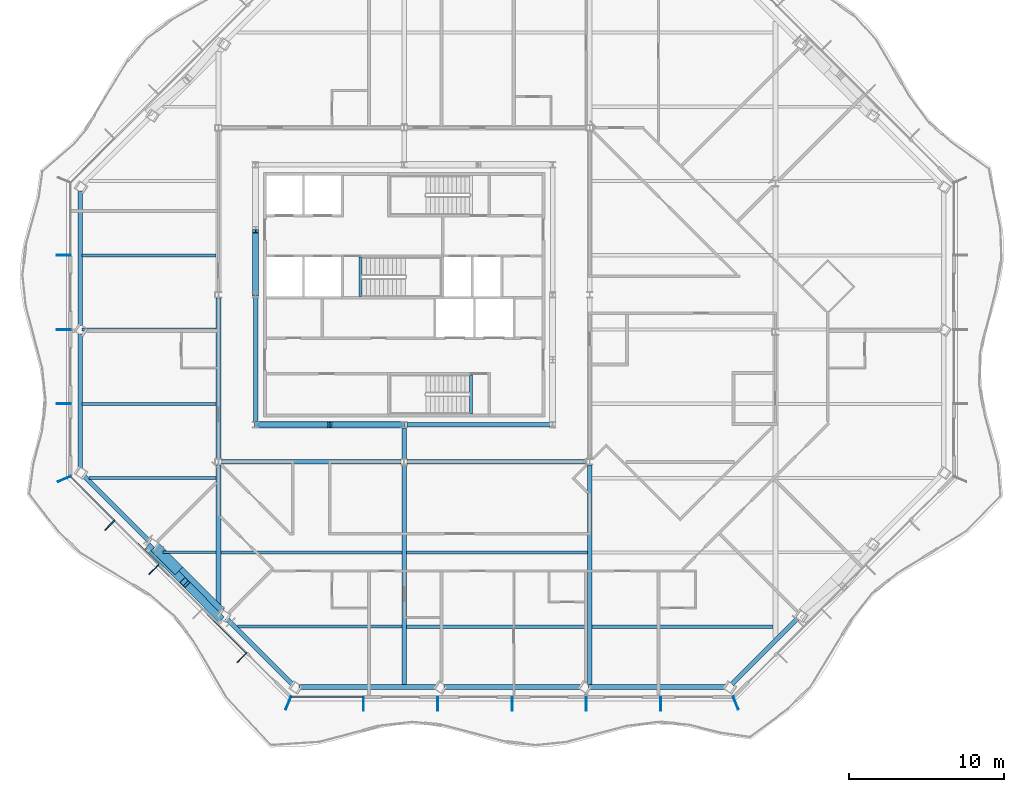
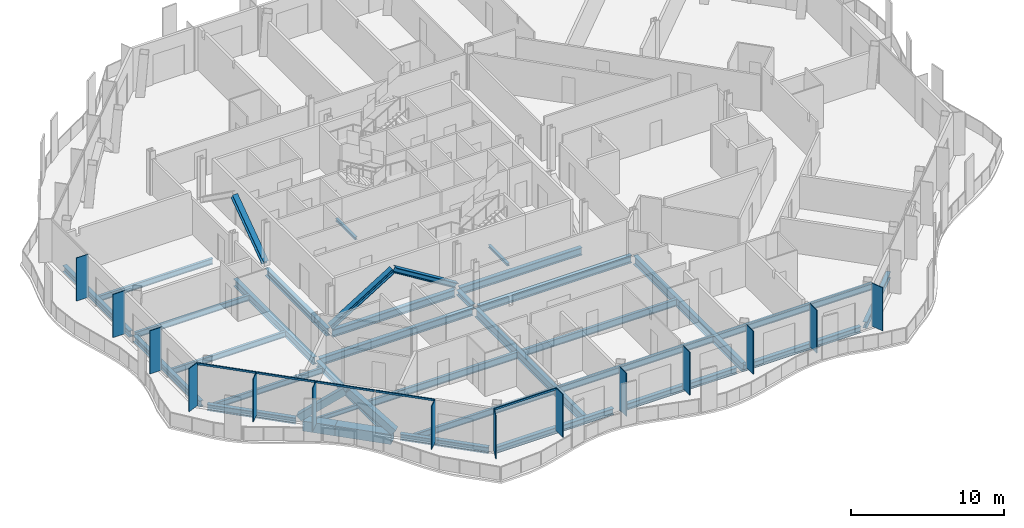
# One storey, part 3 of 19: 32 beams, 24 members, 4 elements without a shape of their own.
"""IFC4 building model written with IfcOpenShell, lengths in metres."""

from ifc_helpers import new_model, si_unit, direction, frame, origin, origin_2d, place, context, subcontext, project, spatial, rectangle, hollow_rectangle, i_section, extrude, material, material_profile, profile_set, type_object, element, aggregate, save


model = new_model("IFC4")

# Units and contexts
model_context = context("Model", 3, precision=1e-05, world=origin(), true_north=direction((0.0, 1.0)))
body_context = subcontext(model_context, "Body", "Model", "MODEL_VIEW")
ifc_project = project(units=[si_unit("LENGTHUNIT", "METRE"), si_unit("AREAUNIT", "SQUARE_METRE"), si_unit("VOLUMEUNIT", "CUBIC_METRE"), si_unit("PLANEANGLEUNIT", "RADIAN"), si_unit("MASSUNIT", "GRAM", prefix="KILO")], contexts=[model_context])

# Site, building, storey
site_placement = place(None, origin())
site = spatial("IfcSite", under=ifc_project, at=site_placement, CompositionType="ELEMENT")
building_placement = place(site_placement, origin())
building = spatial("IfcBuilding", under=site, at=building_placement, Name="Cairn Pilgrim Tower", CompositionType="ELEMENT")
storey_placement = place(building_placement, frame((0.0, 0.0, 197.39990234375)))
storey = spatial("IfcBuildingStorey", under=building, at=storey_placement, Name="L50", CompositionType="ELEMENT", Elevation=197.39990234375)

# Members
ifc_material_1 = material(Name="Structural steel S460M", Category="steel")
ifc_material_profile_1 = material_profile(ifc_material_1, hollow_rectangle(XDim=0.5, YDim=0.5, WallThickness=0.030029296875, at=origin_2d()), Name="BOX 500x500x30")
ifc_profile_set_1 = profile_set([ifc_material_profile_1], Name="Structural steel S460M")
member_type_1 = type_object("IfcMemberType", Name="BOX 500x500x30 BRACE", PredefinedType="BRACE", material=ifc_profile_set_1)
member_1_placement = place(storey_placement, frame((-9.266357421875, -13.947998046875, 0.14990234375), z_axis=(0.542254968737, -0.530793052859, 0.651320415707), x_axis=(0.699513813744, 0.714619076418, 0.0)))
element("IfcMember", 1, at=member_1_placement, inside=storey, type_object=member_type_1, Name="XB-SW2-SW3-1", PredefinedType="BRACE", context=body_context, shape_type="SweptSolid", body=[
    extrude(hollow_rectangle(XDim=0.5, YDim=0.5, WallThickness=0.030029296875, at=origin_2d()), origin(), (0.0, 0.0, 1.0), 4.13232421875),
])
member_2_placement = place(storey_placement, frame((-4.714599609375, -18.489990234375, 0.149169921875), z_axis=(-0.532274318295, 0.541363944045, 0.650852617857), x_axis=(-0.7130677271, -0.701095155145, 0.0)))
element("IfcMember", 2, at=member_2_placement, inside=storey, type_object=member_type_1, Name="XB-SW2-SW3-2", PredefinedType="BRACE", context=body_context, shape_type="SweptSolid", body=[
    extrude(hollow_rectangle(XDim=0.5, YDim=0.5, WallThickness=0.030029296875, at=origin_2d()), origin(), (0.0, 0.0, 1.0), 4.13623046875),
])

# Beams
ifc_material_2 = material(Name="Structural steel S355J2", Category="steel")
ifc_material_profile_2 = material_profile(ifc_material_2, hollow_rectangle(XDim=0.699951171875, YDim=0.800048828125, WallThickness=0.0400390625, at=origin_2d()), Name="BOX 700x800x40")
ifc_profile_set_2 = profile_set([ifc_material_profile_2], Name="Structural steel S355J2")
beam_type_1 = type_object("IfcBeamType", Name="BOX 700x800x40 RING GIRDER", PredefinedType="SPANDREL", material=ifc_profile_set_2)
beam_1_placement = place(storey_placement, frame((-8.909912109375, -13.892333984375, -0.5498046875), z_axis=(0.707106781187, -0.707106781187, 0.0), x_axis=(0.707106781187, 0.707106781187, 0.0)))
element("IfcBeam", 3, at=beam_1_placement, inside=storey, type_object=beam_type_1, Name="RG2-SW2-SW3-1", PredefinedType="SPANDREL", context=body_context, shape_type="SweptSolid", body=[
    extrude(hollow_rectangle(XDim=0.699951171875, YDim=0.800048828125, WallThickness=0.0400390625, at=origin_2d()), origin(), (0.0, 0.0, 1.0), 2.20458984375),
])
beam_2_placement = place(storey_placement, frame((-7.35107421875, -15.451171875, -0.5498046875), z_axis=(0.707106781187, -0.707106781187, 0.0), x_axis=(0.707106781187, 0.707106781187, 0.0)))
element("IfcBeam", 4, at=beam_2_placement, inside=storey, type_object=beam_type_1, Name="RG2-SW2-SW3-2", PredefinedType="SPANDREL", context=body_context, shape_type="SweptSolid", body=[
    extrude(hollow_rectangle(XDim=0.699951171875, YDim=0.800048828125, WallThickness=0.0400390625, at=origin_2d()), origin(), (0.0, 0.0, 1.0), 3.795166015625),
])

# Curtain wall, members
ifc_material_3 = material(Name="Aluminium alloy 6063-T6 bronze anodised with Bronze tinted laminated low-E glass 8+16+8.8", Category="aluminium")
curtain_wall_type_1 = type_object("IfcCurtainWallType", Name="TOWER STICK CURTAIN WALL NS", PredefinedType="NOTDEFINED", material=ifc_material_3)
curtain_wall_1_placement = place(storey_placement, origin())
curtain_wall_1 = element("IfcCurtainWall", 5, at=curtain_wall_1_placement, inside=storey, type_object=curtain_wall_type_1, Name="Tower Stick Curtain Wall Ns S", PredefinedType="NOTDEFINED")
ifc_material_4 = material(Name="Aluminium alloy 6063-T6 bronze anodised", Category="aluminium")
ifc_material_profile_3 = material_profile(ifc_material_4, rectangle(XDim=0.89990234375, YDim=0.06005859375, at=origin_2d()), Name="FIN MULLION 60x900 BRONZE")
ifc_profile_set_3 = profile_set([ifc_material_profile_3], Name="Aluminium alloy 6063-T6 bronze anodised")
member_type_2 = type_object("IfcMemberType", Name="FIN MULLION 60x900 BRONZE", PredefinedType="MULLION", material=ifc_profile_set_3)
member_3_placement = place(storey_placement, frame((-0.2822265625, -23.988037109375, 0.0), z_axis=(0.0, 0.0, 1.0), x_axis=(-0.382683432365, -0.923879532511, 0.0)))
member_3 = element("IfcMember", 6, at=member_3_placement, type_object=member_type_2, Name="Fin mullion S1", PredefinedType="MULLION", context=body_context, shape_type="SweptSolid", body=[
    extrude(rectangle(XDim=0.89990234375, YDim=0.06005859375, at=origin_2d()), origin(), (0.0, 0.0, 1.0), 3.4501953125),
])
member_4_placement = place(storey_placement, frame((4.574951171875, -24.02001953125, 0.0), z_axis=(0.0, 0.0, 1.0), x_axis=(0.0, -1.0, 0.0)))
member_4 = element("IfcMember", 7, at=member_4_placement, type_object=member_type_2, Name="Fin mullion S2", PredefinedType="MULLION", context=body_context, shape_type="SweptSolid", body=[
    extrude(rectangle(XDim=0.89990234375, YDim=0.06005859375, at=origin_2d()), origin(), (0.0, 0.0, 1.0), 3.4501953125),
])
member_5_placement = place(storey_placement, frame((9.375, -24.02001953125, 0.0), z_axis=(0.0, 0.0, 1.0), x_axis=(0.0, -1.0, 0.0)))
member_5 = element("IfcMember", 8, at=member_5_placement, type_object=member_type_2, Name="Fin mullion S3", PredefinedType="MULLION", context=body_context, shape_type="SweptSolid", body=[
    extrude(rectangle(XDim=0.89990234375, YDim=0.06005859375, at=origin_2d()), origin(), (0.0, 0.0, 1.0), 3.4501953125),
])
member_6_placement = place(storey_placement, frame((14.175048828125, -24.02001953125, 0.0), z_axis=(0.0, 0.0, 1.0), x_axis=(0.0, -1.0, 0.0)))
member_6 = element("IfcMember", 9, at=member_6_placement, type_object=member_type_2, Name="Fin mullion S4", PredefinedType="MULLION", context=body_context, shape_type="SweptSolid", body=[
    extrude(rectangle(XDim=0.89990234375, YDim=0.06005859375, at=origin_2d()), origin(), (0.0, 0.0, 1.0), 3.4501953125),
])
member_7_placement = place(storey_placement, frame((18.97509765625, -24.02001953125, 0.0), z_axis=(0.0, 0.0, 1.0), x_axis=(0.0, -1.0, 0.0)))
member_7 = element("IfcMember", 10, at=member_7_placement, type_object=member_type_2, Name="Fin mullion S5", PredefinedType="MULLION", context=body_context, shape_type="SweptSolid", body=[
    extrude(rectangle(XDim=0.89990234375, YDim=0.06005859375, at=origin_2d()), origin(), (0.0, 0.0, 1.0), 3.4501953125),
])
member_8_placement = place(storey_placement, frame((23.77490234375, -24.02001953125, 0.0), z_axis=(0.0, 0.0, 1.0), x_axis=(0.0, -1.0, 0.0)))
member_8 = element("IfcMember", 11, at=member_8_placement, type_object=member_type_2, Name="Fin mullion S6", PredefinedType="MULLION", context=body_context, shape_type="SweptSolid", body=[
    extrude(rectangle(XDim=0.89990234375, YDim=0.06005859375, at=origin_2d()), origin(), (0.0, 0.0, 1.0), 3.4501953125),
])

# Curtain wall, member
curtain_wall_type_2 = type_object("IfcCurtainWallType", Name="CHAMFER CORNER CURTAIN WALL", PredefinedType="NOTDEFINED", material=ifc_material_3)
curtain_wall_2_placement = place(storey_placement, origin())
curtain_wall_2 = element("IfcCurtainWall", 12, at=curtain_wall_2_placement, inside=storey, type_object=curtain_wall_type_2, Name="Chamfer Corner Curtain Wall SE", PredefinedType="NOTDEFINED")
member_9_placement = place(storey_placement, frame((28.632080078125, -23.988037109375, 0.0), z_axis=(0.0, 0.0, 1.0), x_axis=(0.382683432365, -0.923879532511, 0.0)))
member_9 = element("IfcMember", 13, at=member_9_placement, type_object=member_type_2, Name="Fin mullion SE1", PredefinedType="MULLION", context=body_context, shape_type="SweptSolid", body=[
    extrude(rectangle(XDim=0.89990234375, YDim=0.06005859375, at=origin_2d()), origin(), (0.0, 0.0, 1.0), 3.4501953125),
])
aggregate(curtain_wall_2, [member_9])

# Curtain wall, members
curtain_wall_type_3 = type_object("IfcCurtainWallType", Name="TOWER STICK CURTAIN WALL EW", PredefinedType="NOTDEFINED", material=ifc_material_3)
curtain_wall_3_placement = place(storey_placement, origin())
curtain_wall_3 = element("IfcCurtainWall", 14, at=curtain_wall_3_placement, inside=storey, type_object=curtain_wall_type_3, Name="Tower Stick Curtain Wall Ew W", PredefinedType="NOTDEFINED")
member_10_placement = place(storey_placement, frame((-14.794921875, 4.949951171875, 0.0), z_axis=(0.0, 0.0, 1.0), x_axis=(-1.0, 0.0, 0.0)))
member_10 = element("IfcMember", 15, at=member_10_placement, type_object=member_type_2, Name="Fin mullion W2", PredefinedType="MULLION", context=body_context, shape_type="SweptSolid", body=[
    extrude(rectangle(XDim=0.89990234375, YDim=0.06005859375, at=origin_2d()), origin(), (0.0, 0.0, 1.0), 3.4501953125),
])
member_11_placement = place(storey_placement, frame((-14.794921875, 0.14990234375, 0.0), z_axis=(0.0, 0.0, 1.0), x_axis=(-1.0, 0.0, 0.0)))
member_11 = element("IfcMember", 16, at=member_11_placement, type_object=member_type_2, Name="Fin mullion W3", PredefinedType="MULLION", context=body_context, shape_type="SweptSolid", body=[
    extrude(rectangle(XDim=0.89990234375, YDim=0.06005859375, at=origin_2d()), origin(), (0.0, 0.0, 1.0), 3.4501953125),
])
member_12_placement = place(storey_placement, frame((-14.794921875, -4.64990234375, 0.0), z_axis=(0.0, 0.0, 1.0), x_axis=(-1.0, 0.0, 0.0)))
member_12 = element("IfcMember", 17, at=member_12_placement, type_object=member_type_2, Name="Fin mullion W4", PredefinedType="MULLION", context=body_context, shape_type="SweptSolid", body=[
    extrude(rectangle(XDim=0.89990234375, YDim=0.06005859375, at=origin_2d()), origin(), (0.0, 0.0, 1.0), 3.4501953125),
])
aggregate(curtain_wall_3, [member_10, member_11, member_12])

curtain_wall_4_placement = place(storey_placement, origin())
curtain_wall_4 = element("IfcCurtainWall", 18, at=curtain_wall_4_placement, inside=storey, type_object=curtain_wall_type_2, Name="Chamfer Corner Curtain Wall SW", PredefinedType="NOTDEFINED")
member_13_placement = place(storey_placement, frame((-14.762939453125, -9.507080078125, 0.0), z_axis=(0.0, 0.0, 1.0), x_axis=(-0.923879532511, -0.382683432365, 0.0)))
member_13 = element("IfcMember", 19, at=member_13_placement, type_object=member_type_2, Name="Fin mullion SW1", PredefinedType="MULLION", context=body_context, shape_type="SweptSolid", body=[
    extrude(rectangle(XDim=0.89990234375, YDim=0.06005859375, at=origin_2d()), origin(), (0.0, 0.0, 1.0), 3.4501953125),
])
member_14_placement = place(storey_placement, frame((-11.8212890625, -12.494140625, 0.0), z_axis=(0.0, 0.0, 1.0), x_axis=(-0.707106781187, -0.707106781187, 0.0)))
member_14 = element("IfcMember", 20, at=member_14_placement, type_object=member_type_2, Name="Fin mullion SW2", PredefinedType="MULLION", context=body_context, shape_type="SweptSolid", body=[
    extrude(rectangle(XDim=0.89990234375, YDim=0.06005859375, at=origin_2d()), origin(), (0.0, 0.0, 1.0), 3.4501953125),
])
member_15_placement = place(storey_placement, frame((-8.970458984375, -15.344970703125, 0.0), z_axis=(0.0, 0.0, 1.0), x_axis=(-0.707106781187, -0.707106781187, 0.0)))
member_15 = element("IfcMember", 21, at=member_15_placement, type_object=member_type_2, Name="Fin mullion SW3", PredefinedType="MULLION", context=body_context, shape_type="SweptSolid", body=[
    extrude(rectangle(XDim=0.89990234375, YDim=0.06005859375, at=origin_2d()), origin(), (0.0, 0.0, 1.0), 3.4501953125),
])
member_16_placement = place(storey_placement, frame((-3.26904296875, -21.04638671875, 0.0), z_axis=(0.0, 0.0, 1.0), x_axis=(-0.707106781187, -0.707106781187, 0.0)))
member_16 = element("IfcMember", 22, at=member_16_placement, type_object=member_type_2, Name="Fin mullion SW5", PredefinedType="MULLION", context=body_context, shape_type="SweptSolid", body=[
    extrude(rectangle(XDim=0.89990234375, YDim=0.06005859375, at=origin_2d()), origin(), (0.0, 0.0, 1.0), 3.4501953125),
])

# Members
ifc_material_profile_4 = material_profile(ifc_material_2, i_section(OverallWidth=0.39794921875, OverallDepth=0.386962890625, WebThickness=0.02099609375, FlangeThickness=0.033203125, FilletRadius=0.014892578125, at=origin_2d()), Name="HD 400x262")
ifc_profile_set_4 = profile_set([ifc_material_profile_4], Name="Structural steel S355J2")
member_type_3 = type_object("IfcMemberType", Name="HD 400x262 BRACE", PredefinedType="BRACE", material=ifc_profile_set_4)
member_17_placement = place(storey_placement, frame((-2.359619140625, -6.0, 0.10009765625), z_axis=(0.851180404412, 0.0, 0.524873241025), x_axis=(0.0, 1.0, 0.0)))
element("IfcMember", 23, at=member_17_placement, inside=storey, type_object=member_type_3, Name="KB-1A", PredefinedType="BRACE", context=body_context, shape_type="SweptSolid", body=[
    extrude(i_section(OverallWidth=0.39794921875, OverallDepth=0.386962890625, WebThickness=0.02099609375, FlangeThickness=0.033203125, FilletRadius=0.014892578125, at=origin_2d()), origin(), (0.0, 0.0, 1.0), 5.529052734375),
])
member_18_placement = place(storey_placement, frame((7.15966796875, -6.0, 0.10009765625), z_axis=(-0.851192568136, 0.0, 0.524853514754), x_axis=(0.0, -1.0, 0.0)))
element("IfcMember", 24, at=member_18_placement, inside=storey, type_object=member_type_3, Name="KB-1B", PredefinedType="BRACE", context=body_context, shape_type="SweptSolid", body=[
    extrude(i_section(OverallWidth=0.39794921875, OverallDepth=0.386962890625, WebThickness=0.02099609375, FlangeThickness=0.033203125, FilletRadius=0.014892578125, at=origin_2d()), origin(), (0.0, 0.0, 1.0), 5.529296875),
])
member_19_placement = place(storey_placement, frame((-2.39990234375, 2.4404296875, 0.10009765625), z_axis=(0.0, 0.814412678688, 0.580286126659), x_axis=(-1.0, 0.0, 0.0)))
element("IfcMember", 25, at=member_19_placement, inside=storey, type_object=member_type_3, Name="KB-4B", PredefinedType="BRACE", context=body_context, shape_type="SweptSolid", body=[
    extrude(i_section(OverallWidth=0.39794921875, OverallDepth=0.386962890625, WebThickness=0.02099609375, FlangeThickness=0.033203125, FilletRadius=0.014892578125, at=origin_2d()), origin(), (0.0, 0.0, 1.0), 4.9990234375),
])

# Beams
ifc_material_profile_5 = material_profile(ifc_material_2, i_section(OverallWidth=0.300048828125, OverallDepth=0.39990234375, WebThickness=0.013427734375, FlangeThickness=0.02392578125, FilletRadius=0.027099609375, at=origin_2d()), Name="HEB 400")
ifc_profile_set_5 = profile_set([ifc_material_profile_5], Name="Structural steel S355J2")
beam_type_2 = type_object("IfcBeamType", Name="HEB 400 GIRDER", PredefinedType="BEAM", material=ifc_profile_set_5)
beam_3_placement = place(storey_placement, frame((7.199951171875, -8.200439453125, -0.349853515625), z_axis=(0.0, 1.0, 0.0), x_axis=(-1.0, 0.0, 0.0)))
element("IfcBeam", 26, at=beam_3_placement, inside=storey, type_object=beam_type_2, Name="PG3-E1", PredefinedType="BEAM", context=body_context, shape_type="SweptSolid", body=[
    extrude(i_section(OverallWidth=0.300048828125, OverallDepth=0.39990234375, WebThickness=0.013427734375, FlangeThickness=0.02392578125, FilletRadius=0.027099609375, at=origin_2d()), origin(), (0.0, 0.0, 1.0), 1.99853515625),
])
ifc_material_profile_6 = material_profile(ifc_material_2, i_section(OverallWidth=0.300048828125, OverallDepth=0.5, WebThickness=0.014404296875, FlangeThickness=0.028076171875, FilletRadius=0.027099609375, at=origin_2d()), Name="HEB 500")
ifc_profile_set_6 = profile_set([ifc_material_profile_6], Name="Structural steel S355J2")
beam_type_3 = type_object("IfcBeamType", Name="HEB 500 GIRDER", PredefinedType="BEAM", material=ifc_profile_set_6)
beam_4_placement = place(storey_placement, frame((-4.800048828125, -17.820068359375, -0.39990234375), z_axis=(0.0, 1.0, 0.0), x_axis=(-1.0, 0.0, 0.0)))
element("IfcBeam", 27, at=beam_4_placement, inside=storey, type_object=beam_type_3, Name="PG2-1", PredefinedType="BEAM", context=body_context, shape_type="SweptSolid", body=[
    extrude(i_section(OverallWidth=0.300048828125, OverallDepth=0.5, WebThickness=0.014404296875, FlangeThickness=0.028076171875, FilletRadius=0.027099609375, at=origin_2d()), origin(), (0.0, 0.0, 1.0), 9.220458984375),
])
ifc_material_profile_7 = material_profile(ifc_material_2, i_section(OverallWidth=0.300048828125, OverallDepth=0.5, WebThickness=0.014404296875, FlangeThickness=0.028076171875, FilletRadius=0.027099609375, at=origin_2d()), Name="HEB 500")
ifc_profile_set_7 = profile_set([ifc_material_profile_7], Name="Structural steel S355J2")
beam_type_4 = type_object("IfcBeamType", Name="HEB 500 RING GIRDER", PredefinedType="SPANDREL", material=ifc_profile_set_7)
for number, where, z_axis, x_axis, name in (
    (28, (0.417724609375, -22.949951171875, -0.39990234375), (1.0, 0.0, 0.0), (0.0, 1.0, 0.0), "RG2-S1-S2"),
    (29, (9.769287109375, -22.949951171875, -0.39990234375), (1.0, 0.0, 0.0), (0.0, 1.0, 0.0), "RG2-S2-S3"),
    (30, (19.12060546875, -22.949951171875, -0.39990234375), (1.0, 0.0, 0.0), (0.0, 1.0, 0.0), "RG2-S3-SE1"),
):
    element("IfcBeam", number, at=place(storey_placement, frame(where, z_axis=z_axis, x_axis=x_axis)), inside=storey, type_object=beam_type_4, Name=name, PredefinedType="SPANDREL", context=body_context, shape_type="SweptSolid", body=[
        extrude(i_section(OverallWidth=0.300048828125, OverallDepth=0.5, WebThickness=0.014404296875, FlangeThickness=0.028076171875, FilletRadius=0.027099609375, at=origin_2d()), origin(), (0.0, 0.0, 1.0), 8.8115234375),
    ])
beam_5_placement = place(storey_placement, frame((28.39306640625, -22.759033203125, -0.39990234375), z_axis=(0.707106781187, 0.707106781187, 0.0), x_axis=(-0.707106781187, 0.707106781187, 0.0)))
element("IfcBeam", 31, at=beam_5_placement, inside=storey, type_object=beam_type_4, Name="RG2-SE1-SE2", PredefinedType="SPANDREL", context=body_context, shape_type="SweptSolid", body=[
    extrude(i_section(OverallWidth=0.300048828125, OverallDepth=0.5, WebThickness=0.014404296875, FlangeThickness=0.028076171875, FilletRadius=0.027099609375, at=origin_2d()), origin(), (0.0, 0.0, 1.0), 5.999755859375),
])
beam_6_placement = place(storey_placement, frame((-13.72509765625, 9.107177734375, -0.39990234375), z_axis=(0.0, -1.0, 0.0), x_axis=(1.0, 0.0, 0.0)))
element("IfcBeam", 32, at=beam_6_placement, inside=storey, type_object=beam_type_4, Name="RG2-W1-W2", PredefinedType="SPANDREL", context=body_context, shape_type="SweptSolid", body=[
    extrude(i_section(OverallWidth=0.300048828125, OverallDepth=0.5, WebThickness=0.014404296875, FlangeThickness=0.028076171875, FilletRadius=0.027099609375, at=origin_2d()), origin(), (0.0, 0.0, 1.0), 8.687255859375),
])
beam_7_placement = place(storey_placement, frame((-13.72509765625, -0.1201171875, -0.39990234375), z_axis=(0.0, -1.0, 0.0), x_axis=(1.0, 0.0, 0.0)))
element("IfcBeam", 33, at=beam_7_placement, inside=storey, type_object=beam_type_4, Name="RG2-W2-SW1", PredefinedType="SPANDREL", context=body_context, shape_type="SweptSolid", body=[
    extrude(i_section(OverallWidth=0.300048828125, OverallDepth=0.5, WebThickness=0.014404296875, FlangeThickness=0.028076171875, FilletRadius=0.027099609375, at=origin_2d()), origin(), (0.0, 0.0, 1.0), 8.68701171875),
])
for number, where, z_axis, x_axis, name in (
    (34, (-13.5341796875, -9.26806640625, -0.39990234375), (0.707106781187, -0.707106781187, 0.0), (0.707106781187, 0.707106781187, 0.0), "RG2-SW1-SW2"),
    (35, (-4.28564453125, -18.5166015625, -0.39990234375), (0.707106781187, -0.707106781187, 0.0), (0.707106781187, 0.707106781187, 0.0), "RG2-SW3-S1"),
):
    element("IfcBeam", number, at=place(storey_placement, frame(where, z_axis=z_axis, x_axis=x_axis)), inside=storey, type_object=beam_type_4, Name=name, PredefinedType="SPANDREL", context=body_context, shape_type="SweptSolid", body=[
        extrude(i_section(OverallWidth=0.300048828125, OverallDepth=0.5, WebThickness=0.014404296875, FlangeThickness=0.028076171875, FilletRadius=0.027099609375, at=origin_2d()), origin(), (0.0, 0.0, 1.0), 5.999755859375),
    ])
ifc_material_profile_8 = material_profile(ifc_material_2, i_section(OverallWidth=0.300048828125, OverallDepth=0.60009765625, WebThickness=0.015380859375, FlangeThickness=0.030029296875, FilletRadius=0.027099609375, at=origin_2d()), Name="HEB 600")
ifc_profile_set_8 = profile_set([ifc_material_profile_8], Name="Structural steel S355J2")
beam_type_5 = type_object("IfcBeamType", Name="HEB 600 CORE BEAM", PredefinedType="BEAM", material=ifc_profile_set_8)
beam_8_placement = place(storey_placement, frame((-2.21826171875, -6.0, -0.449951171875), z_axis=(1.0, 0.0, 0.0), x_axis=(0.0, 1.0, 0.0)))
element("IfcBeam", 36, at=beam_8_placement, inside=storey, type_object=beam_type_5, Name="CB-1", PredefinedType="BEAM", context=body_context, shape_type="SweptSolid", body=[
    extrude(i_section(OverallWidth=0.300048828125, OverallDepth=0.60009765625, WebThickness=0.015380859375, FlangeThickness=0.030029296875, FilletRadius=0.027099609375, at=origin_2d()), origin(), (0.0, 0.0, 1.0), 9.236572265625),
])
beam_9_placement = place(storey_placement, frame((7.3818359375, -6.0, -0.449951171875), z_axis=(1.0, 0.0, 0.0), x_axis=(0.0, 1.0, 0.0)))
element("IfcBeam", 37, at=beam_9_placement, inside=storey, type_object=beam_type_5, Name="CB-2", PredefinedType="BEAM", context=body_context, shape_type="SweptSolid", body=[
    extrude(i_section(OverallWidth=0.300048828125, OverallDepth=0.60009765625, WebThickness=0.015380859375, FlangeThickness=0.030029296875, FilletRadius=0.027099609375, at=origin_2d()), origin(), (0.0, 0.0, 1.0), 9.236328125),
])
beam_10_placement = place(storey_placement, frame((-2.39990234375, 2.21826171875, -0.449951171875), z_axis=(0.0, -1.0, 0.0), x_axis=(1.0, 0.0, 0.0)))
element("IfcBeam", 38, at=beam_10_placement, inside=storey, type_object=beam_type_5, Name="CB-8", PredefinedType="BEAM", context=body_context, shape_type="SweptSolid", body=[
    extrude(i_section(OverallWidth=0.300048828125, OverallDepth=0.60009765625, WebThickness=0.015380859375, FlangeThickness=0.030029296875, FilletRadius=0.027099609375, at=origin_2d()), origin(), (0.0, 0.0, 1.0), 8.036376953125),
])
ifc_material_profile_9 = material_profile(ifc_material_2, i_section(OverallWidth=0.300048828125, OverallDepth=0.60009765625, WebThickness=0.015380859375, FlangeThickness=0.030029296875, FilletRadius=0.027099609375, at=origin_2d()), Name="HEB 600")
ifc_profile_set_9 = profile_set([ifc_material_profile_9], Name="Structural steel S355J2")
beam_type_6 = type_object("IfcBeamType", Name="HEB 600 GIRDER", PredefinedType="BEAM", material=ifc_profile_set_9)
beam_11_placement = place(storey_placement, frame((-4.800048828125, -8.200439453125, -0.449951171875), z_axis=(0.0, 1.0, 0.0), x_axis=(-1.0, 0.0, 0.0)))
element("IfcBeam", 39, at=beam_11_placement, inside=storey, type_object=beam_type_6, Name="PG2-2", PredefinedType="BEAM", context=body_context, shape_type="SweptSolid", body=[
    extrude(i_section(OverallWidth=0.300048828125, OverallDepth=0.60009765625, WebThickness=0.015380859375, FlangeThickness=0.030029296875, FilletRadius=0.027099609375, at=origin_2d()), origin(), (0.0, 0.0, 1.0), 10.40087890625),
])
ifc_material_profile_10 = material_profile(ifc_material_2, i_section(OverallWidth=0.300048828125, OverallDepth=0.60009765625, WebThickness=0.015380859375, FlangeThickness=0.030029296875, FilletRadius=0.027099609375, at=origin_2d()), Name="HEB 600")
ifc_profile_set_10 = profile_set([ifc_material_profile_10], Name="Structural steel S355J2")
beam_type_7 = type_object("IfcBeamType", Name="HEB 600 INNER GIRDER", PredefinedType="BEAM", material=ifc_profile_set_10)
for number, where, z_axis, x_axis, name in (
    (40, (-4.6005859375, -8.39990234375, -0.449951171875), (1.0, 0.0, 0.0), (0.0, 1.0, 0.0), "IG1-1"),
    (41, (7.3994140625, -8.39990234375, -0.449951171875), (1.0, 0.0, 0.0), (0.0, 1.0, 0.0), "IG1-2"),
):
    element("IfcBeam", number, at=place(storey_placement, frame(where, z_axis=z_axis, x_axis=x_axis)), inside=storey, type_object=beam_type_7, Name=name, PredefinedType="BEAM", context=body_context, shape_type="SweptSolid", body=[
        extrude(i_section(OverallWidth=0.300048828125, OverallDepth=0.60009765625, WebThickness=0.015380859375, FlangeThickness=0.030029296875, FilletRadius=0.027099609375, at=origin_2d()), origin(), (0.0, 0.0, 1.0), 11.60107421875),
    ])
ifc_material_profile_11 = material_profile(ifc_material_2, i_section(OverallWidth=0.300048828125, OverallDepth=0.699951171875, WebThickness=0.01708984375, FlangeThickness=0.031982421875, FilletRadius=0.027099609375, at=origin_2d()), Name="HEB 700")
ifc_profile_set_11 = profile_set([ifc_material_profile_11], Name="Structural steel S355J2")
beam_type_8 = type_object("IfcBeamType", Name="HEB 700 GIRDER", PredefinedType="BEAM", material=ifc_profile_set_11)
for number, where, z_axis, x_axis, name in (
    (42, (7.199951171875, -22.830078125, -0.5), (0.0, 1.0, 0.0), (-1.0, 0.0, 0.0), "PG3-1"),
    (43, (19.199951171875, -22.830078125, -0.5), (0.0, 1.0, 0.0), (-1.0, 0.0, 0.0), "PG4-1"),
):
    element("IfcBeam", number, at=place(storey_placement, frame(where, z_axis=z_axis, x_axis=x_axis)), inside=storey, type_object=beam_type_8, Name=name, PredefinedType="BEAM", context=body_context, shape_type="SweptSolid", body=[
        extrude(i_section(OverallWidth=0.300048828125, OverallDepth=0.699951171875, WebThickness=0.01708984375, FlangeThickness=0.031982421875, FilletRadius=0.027099609375, at=origin_2d()), origin(), (0.0, 0.0, 1.0), 14.23046875),
    ])
ifc_material_profile_12 = material_profile(ifc_material_2, i_section(OverallWidth=0.169921875, OverallDepth=0.360107421875, WebThickness=0.008056640625, FlangeThickness=0.0126953125, FilletRadius=0.01806640625, at=origin_2d()), Name="IPE 360")
ifc_profile_set_12 = profile_set([ifc_material_profile_12], Name="Structural steel S355J2")
beam_type_9 = type_object("IfcBeamType", Name="IPE 360 SECONDARY BEAM", PredefinedType="JOIST", material=ifc_profile_set_12)
beam_12_placement = place(storey_placement, frame((-8.3701171875, -14.25, -0.329833984375), z_axis=(1.0, 0.0, 0.0), x_axis=(0.0, 1.0, 0.0)))
element("IfcBeam", 44, at=beam_12_placement, inside=storey, type_object=beam_type_9, Name="SB2-1", PredefinedType="JOIST", context=body_context, shape_type="SweptSolid", body=[
    extrude(i_section(OverallWidth=0.169921875, OverallDepth=0.360107421875, WebThickness=0.008056640625, FlangeThickness=0.0126953125, FilletRadius=0.01806640625, at=origin_2d()), origin(), (0.0, 0.0, 1.0), 3.420166015625),
])
ifc_material_profile_13 = material_profile(ifc_material_2, i_section(OverallWidth=0.18994140625, OverallDepth=0.449951171875, WebThickness=0.009521484375, FlangeThickness=0.0146484375, FilletRadius=0.02099609375, at=origin_2d()), Name="IPE 450")
ifc_profile_set_13 = profile_set([ifc_material_profile_13], Name="Structural steel S355J2")
beam_type_10 = type_object("IfcBeamType", Name="IPE 450 SECONDARY BEAM", PredefinedType="JOIST", material=ifc_profile_set_13)
beam_13_placement = place(storey_placement, frame((-13.170166015625, -9.449951171875, -0.375), z_axis=(1.0, 0.0, 0.0), x_axis=(0.0, 1.0, 0.0)))
element("IfcBeam", 45, at=beam_13_placement, inside=storey, type_object=beam_type_10, Name="SB3-1", PredefinedType="JOIST", context=body_context, shape_type="SweptSolid", body=[
    extrude(i_section(OverallWidth=0.18994140625, OverallDepth=0.449951171875, WebThickness=0.009521484375, FlangeThickness=0.0146484375, FilletRadius=0.02099609375, at=origin_2d()), origin(), (0.0, 0.0, 1.0), 8.22021484375),
])
for number, where, z_axis, x_axis, name in (
    (46, (-13.60498046875, -4.64990234375, -0.375), (1.0, 0.0, 0.0), (0.0, 1.0, 0.0), "SB4-1"),
    (47, (-13.60498046875, 0.14990234375, -0.375), (1.0, 0.0, 0.0), (0.0, 1.0, 0.0), "SB5-1"),
    (48, (-13.60498046875, 4.949951171875, -0.375), (1.0, 0.0, 0.0), (0.0, 1.0, 0.0), "SB6-1"),
):
    element("IfcBeam", number, at=place(storey_placement, frame(where, z_axis=z_axis, x_axis=x_axis)), inside=storey, type_object=beam_type_10, Name=name, PredefinedType="JOIST", context=body_context, shape_type="SweptSolid", body=[
        extrude(i_section(OverallWidth=0.18994140625, OverallDepth=0.449951171875, WebThickness=0.009521484375, FlangeThickness=0.0146484375, FilletRadius=0.02099609375, at=origin_2d()), origin(), (0.0, 0.0, 1.0), 8.655029296875),
    ])
ifc_material_profile_14 = material_profile(ifc_material_2, i_section(OverallWidth=0.199951171875, OverallDepth=0.5, WebThickness=0.01025390625, FlangeThickness=0.01611328125, FilletRadius=0.02099609375, at=origin_2d()), Name="IPE 500")
ifc_profile_set_14 = profile_set([ifc_material_profile_14], Name="Structural steel S355J2")
beam_type_11 = type_object("IfcBeamType", Name="IPE 500 SECONDARY BEAM", PredefinedType="JOIST", material=ifc_profile_set_14)
beam_14_placement = place(storey_placement, frame((-3.570068359375, -19.050048828125, -0.39990234375), z_axis=(1.0, 0.0, 0.0), x_axis=(0.0, 1.0, 0.0)))
element("IfcBeam", 49, at=beam_14_placement, inside=storey, type_object=beam_type_11, Name="SB1-1", PredefinedType="JOIST", context=body_context, shape_type="SweptSolid", body=[
    extrude(i_section(OverallWidth=0.199951171875, OverallDepth=0.5, WebThickness=0.01025390625, FlangeThickness=0.01611328125, FilletRadius=0.02099609375, at=origin_2d()), origin(), (0.0, 0.0, 1.0), 10.6201171875),
])
ifc_material_profile_15 = material_profile(ifc_material_2, i_section(OverallWidth=0.2099609375, OverallDepth=0.550048828125, WebThickness=0.010986328125, FlangeThickness=0.01708984375, FilletRadius=0.02392578125, at=origin_2d()), Name="IPE 550")
ifc_profile_set_15 = profile_set([ifc_material_profile_15], Name="Structural steel S355J2")
beam_type_12 = type_object("IfcBeamType", Name="IPE 550 SECONDARY BEAM", PredefinedType="JOIST", material=ifc_profile_set_15)
for number, where, z_axis, x_axis, name in (
    (50, (7.35009765625, -19.050048828125, -0.4248046875), (1.0, 0.0, 0.0), (0.0, 1.0, 0.0), "SB1-2"),
    (51, (19.35009765625, -19.050048828125, -0.4248046875), (1.0, 0.0, 0.0), (0.0, 1.0, 0.0), "SB1-3"),
    (52, (-4.64990234375, -14.25, -0.4248046875), (1.0, 0.0, 0.0), (0.0, 1.0, 0.0), "SB2-2"),
    (53, (7.35009765625, -14.25, -0.4248046875), (1.0, 0.0, 0.0), (0.0, 1.0, 0.0), "SB2-3"),
):
    element("IfcBeam", number, at=place(storey_placement, frame(where, z_axis=z_axis, x_axis=x_axis)), inside=storey, type_object=beam_type_12, Name=name, PredefinedType="JOIST", context=body_context, shape_type="SweptSolid", body=[
        extrude(i_section(OverallWidth=0.2099609375, OverallDepth=0.550048828125, WebThickness=0.010986328125, FlangeThickness=0.01708984375, FilletRadius=0.02392578125, at=origin_2d()), origin(), (0.0, 0.0, 1.0), 11.699951171875),
    ])
ifc_material_profile_16 = material_profile(ifc_material_2, i_section(OverallWidth=0.199951171875, OverallDepth=0.199951171875, WebThickness=0.009033203125, FlangeThickness=0.014892578125, FilletRadius=0.01806640625, at=origin_2d()), Name="HE 200 B")
ifc_profile_set_16 = profile_set([ifc_material_profile_16], Name="Structural steel S355J2")
beam_type_13 = type_object("IfcBeamType", Name="STAIR LANDING BEAM HE 200 B", PredefinedType="BEAM", material=ifc_profile_set_16)
beam_15_placement = place(storey_placement, frame((11.5244140625, -2.77490234375, -0.25), z_axis=(0.0, -1.0, 0.0), x_axis=(1.0, 0.0, 0.0)))
element("IfcBeam", 54, at=beam_15_placement, inside=storey, type_object=beam_type_13, Name="STAIR LANDING BEAM LD-HE200B", PredefinedType="BEAM", context=body_context, shape_type="SweptSolid", body=[
    extrude(i_section(OverallWidth=0.199951171875, OverallDepth=0.199951171875, WebThickness=0.009033203125, FlangeThickness=0.014892578125, FilletRadius=0.01806640625, at=origin_2d()), origin(), (0.0, 0.0, 1.0), 2.525146484375),
])
beam_16_placement = place(storey_placement, frame((4.37548828125, 2.27490234375, -0.25), z_axis=(0.0, 1.0, 0.0), x_axis=(-1.0, 0.0, 0.0)))
element("IfcBeam", 55, at=beam_16_placement, inside=storey, type_object=beam_type_13, Name="STAIR LANDING BEAM LD-HE200B", PredefinedType="BEAM", context=body_context, shape_type="SweptSolid", body=[
    extrude(i_section(OverallWidth=0.199951171875, OverallDepth=0.199951171875, WebThickness=0.009033203125, FlangeThickness=0.014892578125, FilletRadius=0.01806640625, at=origin_2d()), origin(), (0.0, 0.0, 1.0), 2.550048828125),
])

# Member
ifc_material_profile_17 = material_profile(ifc_material_4, rectangle(XDim=0.080078125, YDim=0.14990234375, at=origin_2d()), Name="TRANSOM 80x150 BRONZE")
ifc_profile_set_17 = profile_set([ifc_material_profile_17], Name="Aluminium alloy 6063-T6 bronze anodised")
member_type_4 = type_object("IfcMemberType", Name="TRANSOM 80x150 BRONZE", PredefinedType="USERDEFINED", material=ifc_profile_set_17)
member_20_placement = place(storey_placement, frame((-0.08154296875, -23.60009765625, 3.375), z_axis=(1.0, 0.0, 0.0), x_axis=(0.0, 1.0, 0.0)))
member_20 = element("IfcMember", 56, at=member_20_placement, type_object=member_type_4, Name="Transom S1", ObjectType="TRANSOM", PredefinedType="USERDEFINED", context=body_context, shape_type="SweptSolid", body=[
    extrude(rectangle(XDim=0.080078125, YDim=0.14990234375, at=origin_2d()), origin(), (0.0, 0.0, 1.0), 4.62646484375),
])

aggregate(curtain_wall_1, [member_3, member_4, member_5, member_6, member_7, member_8, member_20])

member_21_placement = place(storey_placement, frame((-14.3466796875, -9.374755859375, 3.375), z_axis=(0.707106781187, -0.707106781187, 0.0), x_axis=(0.707106781187, 0.707106781187, 0.0)))
member_21 = element("IfcMember", 57, at=member_21_placement, type_object=member_type_4, Name="Transom SW1", ObjectType="TRANSOM", PredefinedType="USERDEFINED", context=body_context, shape_type="SweptSolid", body=[
    extrude(rectangle(XDim=0.080078125, YDim=0.14990234375, at=origin_2d()), origin(), (0.0, 0.0, 1.0), 3.961669921875),
])

member_22_placement = place(storey_placement, frame((-11.503173828125, -12.21826171875, 3.375), z_axis=(0.707106781187, -0.707106781187, 0.0), x_axis=(0.707106781187, 0.707106781187, 0.0)))
member_22 = element("IfcMember", 58, at=member_22_placement, type_object=member_type_4, Name="Transom SW2", ObjectType="TRANSOM", PredefinedType="USERDEFINED", context=body_context, shape_type="SweptSolid", body=[
    extrude(rectangle(XDim=0.080078125, YDim=0.14990234375, at=origin_2d()), origin(), (0.0, 0.0, 1.0), 3.9716796875),
])

member_23_placement = place(storey_placement, frame((-8.65234375, -15.069091796875, 3.375), z_axis=(0.707106781187, -0.707106781187, 0.0), x_axis=(0.707106781187, 0.707106781187, 0.0)))
member_23 = element("IfcMember", 59, at=member_23_placement, type_object=member_type_4, Name="Transom SW3", ObjectType="TRANSOM", PredefinedType="USERDEFINED", context=body_context, shape_type="SweptSolid", body=[
    extrude(rectangle(XDim=0.080078125, YDim=0.14990234375, at=origin_2d()), origin(), (0.0, 0.0, 1.0), 3.9716796875),
])

member_24_placement = place(storey_placement, frame((-5.8017578125, -17.919677734375, 3.375), z_axis=(0.707106781187, -0.707106781187, 0.0), x_axis=(0.707106781187, 0.707106781187, 0.0)))
member_24 = element("IfcMember", 60, at=member_24_placement, type_object=member_type_4, Name="Transom SW4", ObjectType="TRANSOM", PredefinedType="USERDEFINED", context=body_context, shape_type="SweptSolid", body=[
    extrude(rectangle(XDim=0.080078125, YDim=0.14990234375, at=origin_2d()), origin(), (0.0, 0.0, 1.0), 3.9716796875),
])

aggregate(curtain_wall_4, [member_13, member_14, member_15, member_16, member_21, member_22, member_23, member_24])

save(model, "model.ifc")
